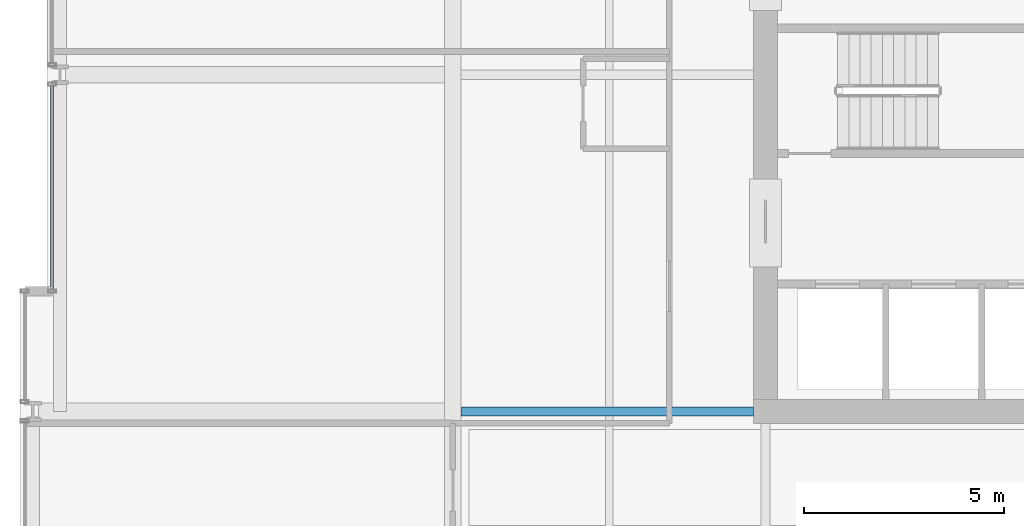
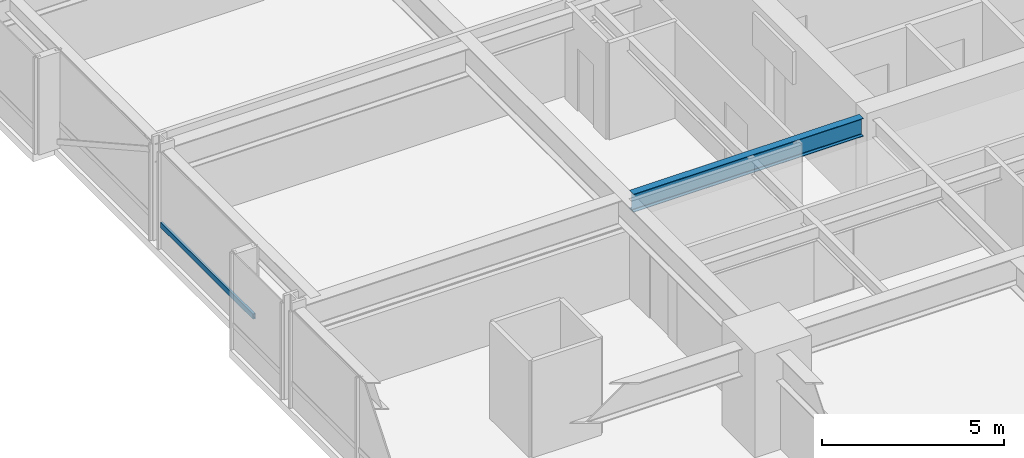
# One storey, part 8 of 38: 1 beam, 1 member, 1 element without a shape of its own.
"""IFC4 building model written with IfcOpenShell, lengths in metres."""

from ifc_helpers import new_model, si_unit, direction, frame, origin, origin_2d, place, context, subcontext, project, spatial, hollow_rectangle, i_section, extrude, material, layer, layer_set, material_profile, profile_set, type_object, element, aggregate, save


model = new_model("IFC4")

# Units and contexts
model_context = context("Model", 3, precision=1e-05, world=origin(), true_north=direction((0.0, 1.0)))
body_context = subcontext(model_context, "Body", "Model", "MODEL_VIEW")
ifc_project = project(units=[si_unit("LENGTHUNIT", "METRE"), si_unit("AREAUNIT", "SQUARE_METRE"), si_unit("VOLUMEUNIT", "CUBIC_METRE"), si_unit("PLANEANGLEUNIT", "RADIAN"), si_unit("MASSUNIT", "GRAM", prefix="KILO")], contexts=[model_context])

# Site, building, storey
site_placement = place(None, origin())
site = spatial("IfcSite", under=ifc_project, at=site_placement, CompositionType="ELEMENT")
building_placement = place(site_placement, origin())
building = spatial("IfcBuilding", under=site, at=building_placement, Name="Drelvath Grand Hotel", CompositionType="ELEMENT")
storey_placement = place(building_placement, frame((0.0, 0.0, 50.699951171875)))
storey = spatial("IfcBuildingStorey", under=building, at=storey_placement, Name="L11", CompositionType="ELEMENT", Elevation=50.699951171875)

# Curtain wall, member
ifc_material_1 = material(Name="Warm Bronze Anodised Aluminium Frame", Category="aluminium")
ifc_layer = layer(ifc_material_1, 0.199951171875)
ifc_layer_set = layer_set([ifc_layer], Name="Warm Bronze Anodised Aluminium Frame")
curtain_wall_type = type_object("IfcCurtainWallType", Name="Stick Curtain Wall CW-02 Warm Bronze Low-Rise", PredefinedType="NOTDEFINED", material=ifc_layer_set)
curtain_wall_placement = place(storey_placement, origin())
curtain_wall = element("IfcCurtainWall", 1, at=curtain_wall_placement, inside=storey, type_object=curtain_wall_type, Name="L11 CW-02 Curtain Wall CW02-L11-WM1", PredefinedType="NOTDEFINED")
ifc_material_profile_1 = material_profile(ifc_material_1, hollow_rectangle(XDim=0.074951171875, YDim=0.179931640625, WallThickness=0.0048828125, at=origin_2d()), Name="HSS180X75X5")
ifc_profile_set_1 = profile_set([ifc_material_profile_1], Name="Warm Bronze Anodised Aluminium Frame")
member_type = type_object("IfcMemberType", Name="Curtain Wall Horizontal Transom CW-02 HSS180X75X5", PredefinedType="USERDEFINED", material=ifc_profile_set_1)
member_placement = place(storey_placement, frame((-26.199951171875, 21.639892578125, 0.81005859375), z_axis=(0.0, 1.0, 0.0), x_axis=(-1.0, 0.0, 0.0)))
member = element("IfcMember", 2, at=member_placement, type_object=member_type, Name="CW02-L11-WM1 Sill Transom", ObjectType="TRANSOM", PredefinedType="USERDEFINED", context=body_context, shape_type="SweptSolid", body=[
    extrude(hollow_rectangle(XDim=0.074951171875, YDim=0.179931640625, WallThickness=0.0048828125, at=origin_2d()), origin(), (0.0, 0.0, 1.0), 5.0791015625),
])
aggregate(curtain_wall, [member])

# Beam
ifc_material_2 = material(Name="Steel ASTM A992 Gr 50", Category="steel")
ifc_material_profile_2 = material_profile(ifc_material_2, i_section(OverallWidth=0.228271484375, OverallDepth=0.607666015625, WebThickness=0.01123046875, FlangeThickness=0.017333984375, FilletRadius=0.02001953125, at=origin_2d()), Name="W24X76")
ifc_profile_set_2 = profile_set([ifc_material_profile_2], Name="Steel ASTM A992 Gr 50")
beam_type = type_object("IfcBeamType", Name="Primary Floor Girder W24X76", PredefinedType="BEAM", material=ifc_profile_set_2)
beam_placement = place(storey_placement, frame((-15.99072265625, 18.60009765625, 2.936279296875), z_axis=(1.0, 0.0, 0.0), x_axis=(0.0, 1.0, 0.0)))
element("IfcBeam", 3, at=beam_placement, inside=storey, type_object=beam_type, Name="L11 West Core Tie D", PredefinedType="BEAM", context=body_context, shape_type="SweptSolid", body=[
    extrude(i_section(OverallWidth=0.228271484375, OverallDepth=0.607666015625, WebThickness=0.01123046875, FlangeThickness=0.017333984375, FilletRadius=0.02001953125, at=origin_2d()), origin(), (0.0, 0.0, 1.0), 7.290771484375),
])

save(model, "model.ifc")
